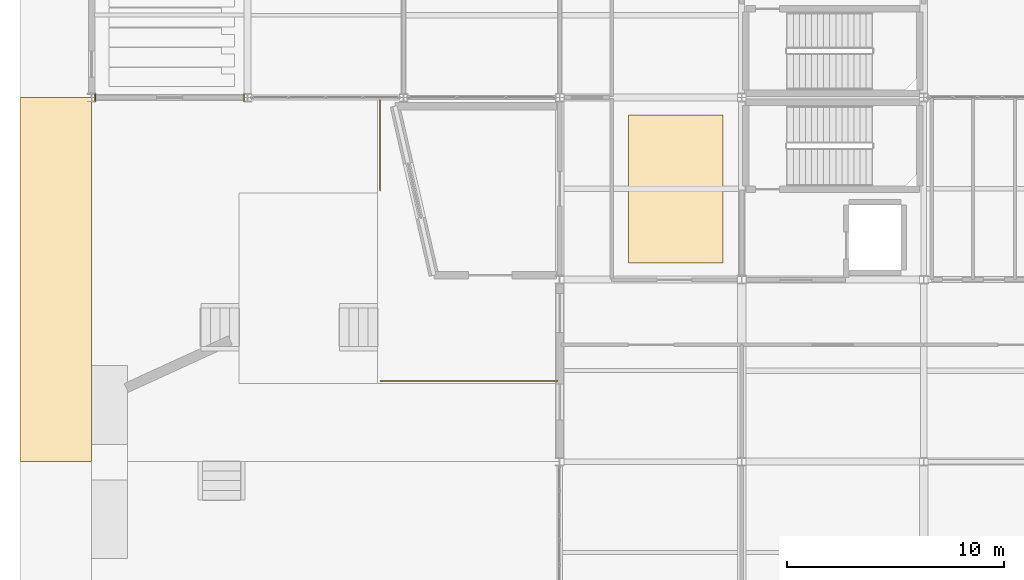
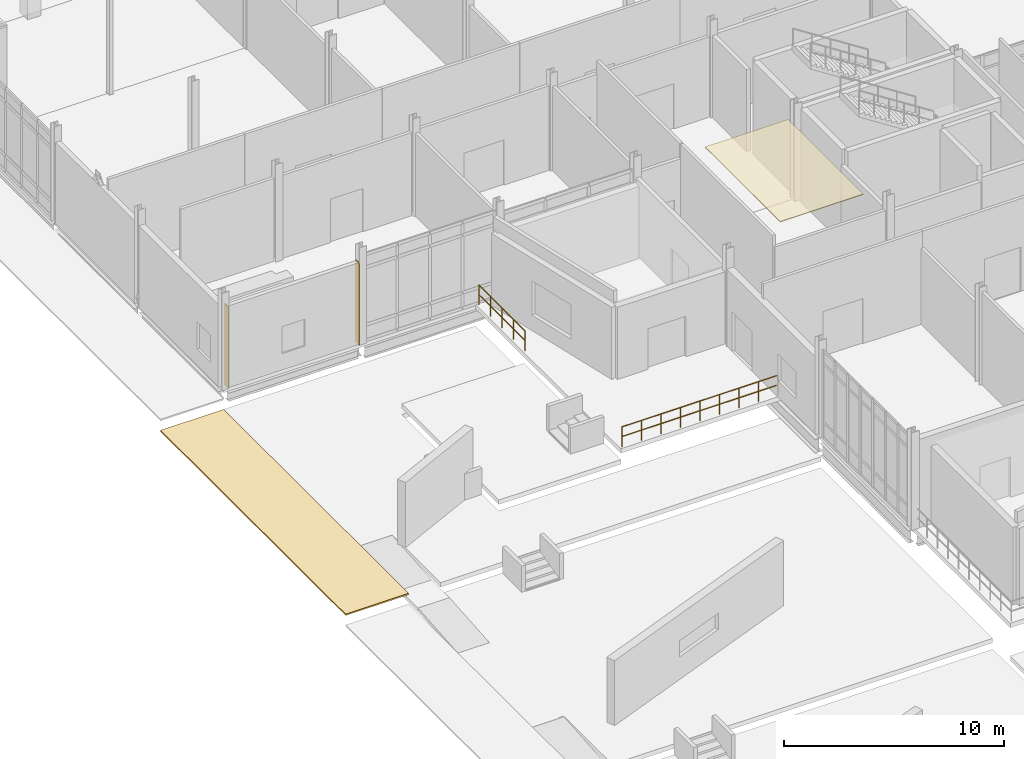
# One storey, part 207 of 229: 4 coverings, 2 railings.
"""IFC4 building model written with IfcOpenShell, lengths in metres."""

from ifc_helpers import new_model, si_unit, direction, frame, origin, origin_2d, place, context, subcontext, project, spatial, polyline, circle, outline, extrude, material, layer, layer_set, type_object, element, save


model = new_model("IFC4")

# Units and contexts
model_context = context("Model", 3, precision=1e-05, world=origin(), true_north=direction((0.0, 1.0)))
body_context = subcontext(model_context, "Body", "Model", "MODEL_VIEW")
ifc_project = project(units=[si_unit("LENGTHUNIT", "METRE"), si_unit("AREAUNIT", "SQUARE_METRE"), si_unit("VOLUMEUNIT", "CUBIC_METRE"), si_unit("PLANEANGLEUNIT", "RADIAN"), si_unit("MASSUNIT", "GRAM", prefix="KILO")], contexts=[model_context])

# Site, building, storey
site_placement = place(None, origin())
site = spatial("IfcSite", under=ifc_project, at=site_placement, CompositionType="ELEMENT")
building_placement = place(site_placement, origin())
building = spatial("IfcBuilding", under=site, at=building_placement, Name="Calvrana Isthmian Art Gallery", CompositionType="ELEMENT")
storey_placement = place(building_placement, origin())
storey = spatial("IfcBuildingStorey", under=building, at=storey_placement, Name="L00", CompositionType="ELEMENT", Elevation=0.0)

# Coverings
ifc_material_1 = material(Name="Acoustic gypsum ceiling", Category="gypsum")
ifc_layer_1 = layer(ifc_material_1, 0.0400390625, Name="Acoustic gypsum ceiling")
ifc_layer_set_1 = layer_set([ifc_layer_1], Name="Acoustic gypsum ceiling")
covering_type_1 = type_object("IfcCoveringType", Name="COV-CEIL-ACOUST", PredefinedType="CEILING", material=ifc_layer_set_1)
covering_1_placement = place(storey_placement, frame((0.0, 0.0, 5.1220703125)))
element("IfcCovering", 1, at=covering_1_placement, inside=storey, type_object=covering_type_1, Name="Gallery acoustic ceiling 01", PredefinedType="CEILING", context=body_context, shape_type="SweptSolid", body=[
    extrude(outline(polyline([(24.77001953125, 39.169921875), (29.1298828125, 39.169921875), (29.1298828125, 46.0), (24.77001953125, 46.0), (24.77001953125, 39.169921875)])), origin(), (0.0, 0.0, 1.0), 0.0400390625),
])
ifc_material_2 = material(Name="Polychrome glazed terracotta", Category="masonry")
ifc_layer_2 = layer(ifc_material_2, 0.0400390625, Name="Polychrome glazed terracotta")
ifc_layer_set_2 = layer_set([ifc_layer_2], Name="Polychrome glazed terracotta")
covering_type_2 = type_object("IfcCoveringType", Name="COV-CLAD-TERRA", PredefinedType="CLADDING", material=ifc_layer_set_2)
covering_2_placement = place(storey_placement, origin())
element("IfcCovering", 2, at=covering_2_placement, inside=storey, type_object=covering_type_2, Name="Column pocket weather closure L00-00-06-W", PredefinedType="CLADDING", context=body_context, shape_type="SweptSolid", body=[
    extrude(outline(polyline([(0.146484375, 46.618408203125), (0.1865234375, 46.618408203125), (0.1865234375, 46.9814453125), (0.146484375, 46.9814453125), (0.146484375, 46.618408203125)])), origin(), (0.0, 0.0, 1.0), 4.532958984375),
])
covering_3_placement = place(storey_placement, origin())
element("IfcCovering", 3, at=covering_3_placement, inside=storey, type_object=covering_type_2, Name="Column pocket weather closure L00-00-06-E", PredefinedType="CLADDING", context=body_context, shape_type="SweptSolid", body=[
    extrude(outline(polyline([(7.013427734375, 46.62109375), (7.053466796875, 46.62109375), (7.053466796875, 46.97900390625), (7.013427734375, 46.97900390625), (7.013427734375, 46.62109375)])), origin(), (0.0, 0.0, 1.0), 4.532958984375),
])
ifc_material_3 = material(Name="Pale Isthmian limestone", Category="masonry")
ifc_layer_3 = layer(ifc_material_3, 0.080078125, Name="Pale Isthmian limestone")
ifc_layer_set_3 = layer_set([ifc_layer_3], Name="Pale Isthmian limestone")
covering_type_3 = type_object("IfcCoveringType", Name="COV-SITE-PAVING", PredefinedType="USERDEFINED", material=ifc_layer_set_3)
covering_4_placement = place(storey_placement, frame((0.0, 0.0, -1.280029296875)))
element("IfcCovering", 4, at=covering_4_placement, inside=storey, type_object=covering_type_3, Name="Stepped hillside grade paving bench PAV_SW_W3", ObjectType="PAVING", PredefinedType="USERDEFINED", context=body_context, shape_type="SweptSolid", body=[
    extrude(outline(polyline([(-3.300048828125, 30.0), (0.001953125, 30.0), (0.001953125, 46.800048828125), (-3.300048828125, 46.800048828125), (-3.300048828125, 30.0)])), origin(), (0.0, 0.0, 1.0), 0.080078125),
])

# Railings
ifc_material_4 = material(Name="Anodized bronze aluminium 6063-T6", Category="aluminium")
railing_type = type_object("IfcRailingType", Name="RL-BAL-1120", PredefinedType="BALUSTRADE", material=ifc_material_4)
railing_1_placement = place(storey_placement, frame((13.320068359375, 42.5, 0.0)))
element("IfcRailing", 5, at=railing_1_placement, inside=storey, type_object=railing_type, Name="Sunken court terrace guard GR-C02", PredefinedType="BALUSTRADE", context=body_context, shape_type="SweptSolid", body=[
    extrude(circle(Radius=0.02392578125, at=origin_2d()), frame((0.0, 0.0, 1.09619140625), z_axis=(0.0, 1.0, 0.0), x_axis=(-1.0, 0.0, 0.0)), (0.0, 0.0, 1.0), 4.199951171875),
    extrude(circle(Radius=0.02392578125, at=origin_2d()), frame((0.0, 0.0, 0.56005859375), z_axis=(0.0, 1.0, 0.0), x_axis=(-1.0, 0.0, 0.0)), (0.0, 0.0, 1.0), 4.199951171875),
    extrude(circle(Radius=0.02099609375, at=origin_2d()), origin(), (0.0, 0.0, 1.0), 1.072021484375),
    extrude(circle(Radius=0.02099609375, at=origin_2d()), frame((0.0, 1.050048828125, 0.0)), (0.0, 0.0, 1.0), 1.072021484375),
    extrude(circle(Radius=0.02099609375, at=origin_2d()), frame((0.0, 2.10009765625, 0.0)), (0.0, 0.0, 1.0), 1.072021484375),
    extrude(circle(Radius=0.02099609375, at=origin_2d()), frame((0.0, 3.14990234375, 0.0)), (0.0, 0.0, 1.0), 1.072021484375),
    extrude(circle(Radius=0.02099609375, at=origin_2d()), frame((0.0, 4.199951171875, 0.0)), (0.0, 0.0, 1.0), 1.072021484375),
])
railing_2_placement = place(storey_placement, frame((21.5, 33.719970703125, 0.0)))
element("IfcRailing", 6, at=railing_2_placement, inside=storey, type_object=railing_type, Name="Sunken court terrace guard GR-C03", PredefinedType="BALUSTRADE", context=body_context, shape_type="SweptSolid", body=[
    extrude(circle(Radius=0.02392578125, at=origin_2d()), frame((0.0, 0.0, 1.09619140625), z_axis=(-1.0, 0.0, 0.0), x_axis=(0.0, -1.0, 0.0)), (0.0, 0.0, 1.0), 8.179931640625),
    extrude(circle(Radius=0.02392578125, at=origin_2d()), frame((0.0, 0.0, 0.56005859375), z_axis=(-1.0, 0.0, 0.0), x_axis=(0.0, -1.0, 0.0)), (0.0, 0.0, 1.0), 8.179931640625),
    extrude(circle(Radius=0.02099609375, at=origin_2d()), origin(), (0.0, 0.0, 1.0), 1.072021484375),
    extrude(circle(Radius=0.02099609375, at=origin_2d()), frame((-1.0224609375, 0.0, 0.0)), (0.0, 0.0, 1.0), 1.072021484375),
    extrude(circle(Radius=0.02099609375, at=origin_2d()), frame((-2.044921875, 0.0, 0.0)), (0.0, 0.0, 1.0), 1.072021484375),
    extrude(circle(Radius=0.02099609375, at=origin_2d()), frame((-3.0673828125, 0.0, 0.0)), (0.0, 0.0, 1.0), 1.072021484375),
    extrude(circle(Radius=0.02099609375, at=origin_2d()), frame((-4.08984375, 0.0, 0.0)), (0.0, 0.0, 1.0), 1.072021484375),
    extrude(circle(Radius=0.02099609375, at=origin_2d()), frame((-5.112548828125, 0.0, 0.0)), (0.0, 0.0, 1.0), 1.072021484375),
    extrude(circle(Radius=0.02099609375, at=origin_2d()), frame((-6.135009765625, 0.0, 0.0)), (0.0, 0.0, 1.0), 1.072021484375),
    extrude(circle(Radius=0.02099609375, at=origin_2d()), frame((-7.157470703125, 0.0, 0.0)), (0.0, 0.0, 1.0), 1.072021484375),
    extrude(circle(Radius=0.02099609375, at=origin_2d()), frame((-8.179931640625, 0.0, 0.0)), (0.0, 0.0, 1.0), 1.072021484375),
])

save(model, "model.ifc")
